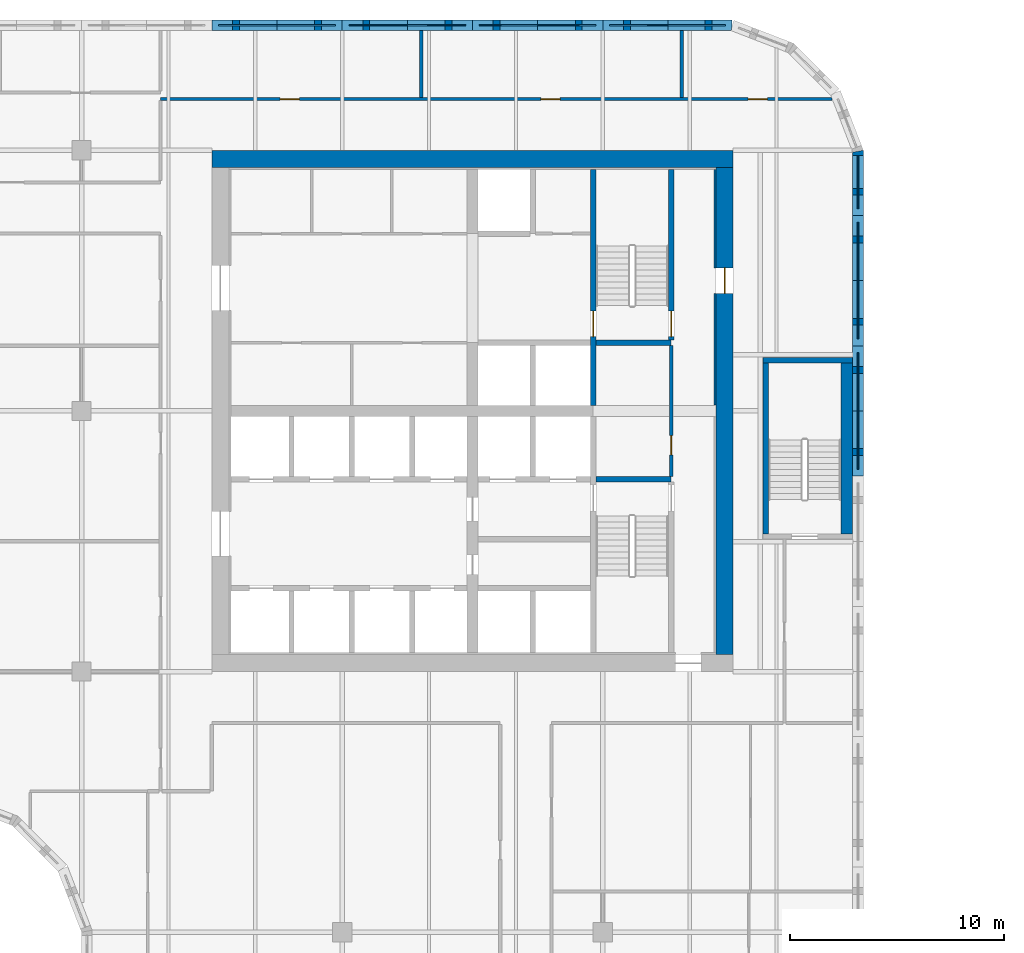
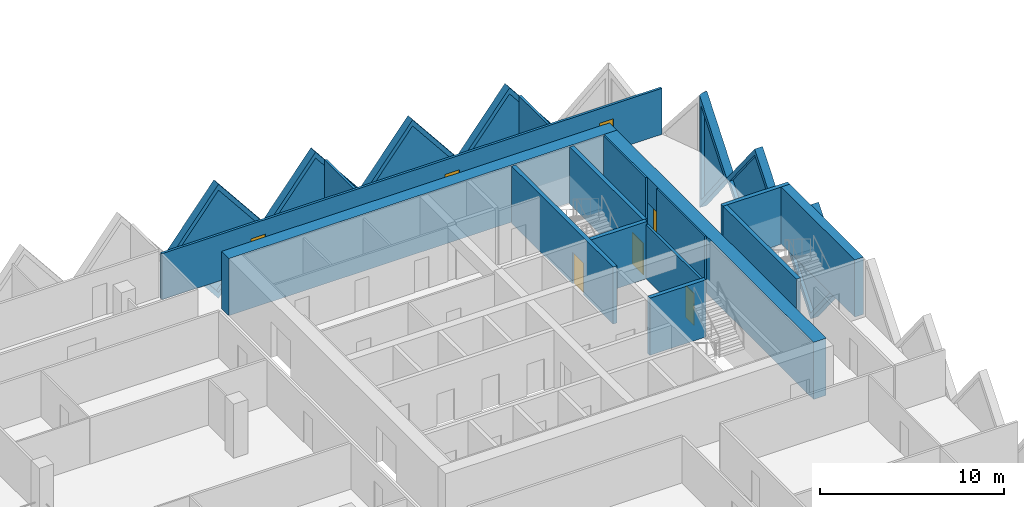
# One storey, part 10 of 19: 22 walls, 7 doors, 7 plates, 14 openings.
"""IFC4 building model written with IfcOpenShell, lengths in metres."""

from ifc_helpers import new_model, si_unit, direction, frame, frame_2d, origin, place, context, subcontext, project, spatial, polyline, rectangle, outline, extrude, faceted_brep, source, transform, mapped, material, layer, layer_set, type_object, element, fill, save


model = new_model("IFC4")

# Units and contexts
model_context = context("Model", 3, precision=1e-05, world=origin(), true_north=direction((0.0, 1.0)))
body_context = subcontext(model_context, "Body", "Model", "MODEL_VIEW")
ifc_project = project(units=[si_unit("LENGTHUNIT", "METRE"), si_unit("AREAUNIT", "SQUARE_METRE"), si_unit("VOLUMEUNIT", "CUBIC_METRE"), si_unit("PLANEANGLEUNIT", "RADIAN"), si_unit("MASSUNIT", "GRAM", prefix="KILO")], contexts=[model_context])

# Site, building, storey
site_placement = place(None, origin())
site = spatial("IfcSite", under=ifc_project, at=site_placement, CompositionType="ELEMENT")
building_placement = place(site_placement, origin())
building = spatial("IfcBuilding", under=site, at=building_placement, Name="Tessera Gate Towers", CompositionType="ELEMENT")
storey_placement = place(building_placement, frame((0.0, 0.0, 87.60009765625)))
storey = spatial("IfcBuildingStorey", under=building, at=storey_placement, Name="L21", CompositionType="ELEMENT", Elevation=87.60009765625)

# Wall, opening, door
ifc_material_1 = material(Name="Concrete C40/50", Category="concrete")
ifc_layer_1 = layer(ifc_material_1, 0.25)
ifc_layer_set_1 = layer_set([ifc_layer_1], Name="CORE ENCLOSURE WALL 250")
wall_type_1 = type_object("IfcWallType", Name="CORE ENCLOSURE WALL 250", PredefinedType="SOLIDWALL", material=ifc_layer_set_1)
wall_1_placement = place(storey_placement, frame((48.35009765625, 47.89990234375, 0.0), z_axis=(0.0, 0.0, 1.0), x_axis=(0.0, -1.0, 0.0)))
wall_1 = element("IfcWall", 1, at=wall_1_placement, inside=storey, type_object=wall_type_1, Name="L21 shaft and stair enclosure wall", PredefinedType="SOLIDWALL", context=body_context, shape_type="SweptSolid", body=[
    extrude(rectangle(XDim=11.0498046875, YDim=0.25, at=frame_2d((5.52490234375, 0.0))), origin(), (0.0, 0.0, 1.0), 3.7998046875),
])
shared_shape_1 = source(origin(), body_context, "Body", "SweptSolid", [
    extrude(rectangle(XDim=1.199951171875, YDim=2.10009765625, at=frame_2d((0.60009765625, 1.050048828125))), frame((0.0, 0.135009765625, 0.0), z_axis=(0.0, -1.0, 0.0), x_axis=(1.0, 0.0, 0.0)), (0.0, 0.0, 1.0), 0.27001953125),
])
opening_1_placement = place(wall_1_placement, frame((6.625, 0.0, 0.0)))
opening_1 = element("IfcOpeningElement", 2, at=opening_1_placement, cuts=wall_1, Name="Opening SD-ST2-1", PredefinedType="OPENING", context=body_context, shape_type="MappedRepresentation", body=[
    mapped(shared_shape_1, transform((0.0, 0.0, 0.0), scale=1.0)),
])
ifc_material_2 = material(Name="Hollow steel fire door", Category="steel")
door_type_1 = type_object("IfcDoorType", Name="CORE DOOR SD 1200x2100", OperationType="NOTDEFINED", PredefinedType="DOOR", material=ifc_material_2)
shared_shape_2 = source(origin(), body_context, "Body", "SweptSolid", [
    extrude(rectangle(XDim=1.199951171875, YDim=2.10009765625, at=frame_2d((0.60009765625, 1.050048828125))), frame((0.0, 0.02490234375, 0.0), z_axis=(0.0, -1.0, 0.0), x_axis=(1.0, 0.0, 0.0)), (0.0, 0.0, 1.0), 0.050048828125),
])
door_1_placement = place(opening_1_placement, origin())
door_1 = element("IfcDoor", 3, at=door_1_placement, inside=storey, type_object=door_type_1, Name="Stair door", OperationType="SINGLE_SWING_RIGHT", OverallHeight=2.10009765625, OverallWidth=1.199951171875, PredefinedType="DOOR", context=body_context, shape_type="MappedRepresentation", body=[
    mapped(shared_shape_2, transform((0.0, 0.0, 0.0), scale=1.0)),
])
fill(opening_1, door_1)

# Walls
for number, where, z_axis, x_axis, name in (
    (4, (48.47509765625, 33.39990234375, 0.0), (0.0, 0.0, 1.0), (1.0, 0.0, 0.0), "L21 shaft and stair enclosure wall"),
    (5, (48.47509765625, 39.800048828125, 0.0), (0.0, 0.0, 1.0), (1.0, 0.0, 0.0), "L21 shaft and stair enclosure wall"),
):
    element("IfcWall", number, at=place(storey_placement, frame(where, z_axis=z_axis, x_axis=x_axis)), inside=storey, type_object=wall_type_1, Name=name, PredefinedType="SOLIDWALL", context=body_context, shape_type="SweptSolid", body=[
        extrude(rectangle(XDim=3.52490234375, YDim=0.25, at=frame_2d((1.762451171875, 0.0))), origin(), (0.0, 0.0, 1.0), 3.7998046875),
    ])

# Wall, opening, door
wall_2_placement = place(storey_placement, frame((52.0, 39.925048828125, 0.0), z_axis=(0.0, 0.0, 1.0), x_axis=(0.0, 1.0, 0.0)))
wall_2 = element("IfcWall", 6, at=wall_2_placement, inside=storey, type_object=wall_type_1, Name="L21 shaft and stair enclosure wall", PredefinedType="SOLIDWALL", context=body_context, shape_type="SweptSolid", body=[
    extrude(rectangle(XDim=7.974853515625, YDim=0.25, at=frame_2d((3.9873046875, 0.0))), origin(), (0.0, 0.0, 1.0), 3.7998046875),
])
opening_2_placement = place(wall_2_placement, frame((0.14990234375, 0.0, 0.0)))
opening_2 = element("IfcOpeningElement", 7, at=opening_2_placement, cuts=wall_2, Name="Opening SD-ST2-2", PredefinedType="OPENING", context=body_context, shape_type="MappedRepresentation", body=[
    mapped(shared_shape_1, transform((0.0, 0.0, 0.0), scale=1.0)),
])
door_2_placement = place(opening_2_placement, origin())
door_2 = element("IfcDoor", 8, at=door_2_placement, inside=storey, type_object=door_type_1, Name="Stair door", OperationType="SINGLE_SWING_LEFT", OverallHeight=2.10009765625, OverallWidth=1.199951171875, PredefinedType="DOOR", context=body_context, shape_type="MappedRepresentation", body=[
    mapped(shared_shape_2, transform((0.0, 0.0, 0.0), scale=1.0)),
])
fill(opening_2, door_2)

# Walls
wall_3_placement = place(storey_placement, frame((56.425048828125, 30.85009765625, 0.0), z_axis=(0.0, 0.0, 1.0), x_axis=(0.0, 1.0, 0.0)))
element("IfcWall", 9, at=wall_3_placement, inside=storey, type_object=wall_type_1, Name="L21 ST5 enclosure wall", PredefinedType="SOLIDWALL", context=body_context, shape_type="SweptSolid", body=[
    extrude(rectangle(XDim=8.0, YDim=0.25, at=frame_2d((4.0, 0.0))), origin(), (0.0, 0.0, 1.0), 3.7998046875),
])
wall_4_placement = place(storey_placement, frame((56.300048828125, 38.97509765625, 0.0), z_axis=(0.0, 0.0, 1.0), x_axis=(1.0, 0.0, 0.0)))
element("IfcWall", 10, at=wall_4_placement, inside=storey, type_object=wall_type_1, Name="L21 ST5 enclosure wall", PredefinedType="SOLIDWALL", context=body_context, shape_type="SweptSolid", body=[
    extrude(rectangle(XDim=4.199951171875, YDim=0.25, at=frame_2d((2.10009765625, 0.0))), origin(), (0.0, 0.0, 1.0), 3.7998046875),
])
ifc_material_3 = material(Name="Concrete C40/50", Category="concrete")
ifc_layer_2 = layer(ifc_material_3, 0.550048828125)
ifc_layer_set_2 = layer_set([ifc_layer_2], Name="CORE ENCLOSURE WALL 550")
wall_type_2 = type_object("IfcWallType", Name="CORE ENCLOSURE WALL 550", PredefinedType="SOLIDWALL", material=ifc_layer_set_2)
wall_5_placement = place(storey_placement, frame((60.22509765625, 38.85009765625, 0.0), z_axis=(0.0, 0.0, 1.0), x_axis=(0.0, -1.0, 0.0)))
element("IfcWall", 11, at=wall_5_placement, inside=storey, type_object=wall_type_2, Name="L21 ST5 enclosure wall", PredefinedType="SOLIDWALL", context=body_context, shape_type="SweptSolid", body=[
    extrude(rectangle(XDim=8.0, YDim=0.550048828125, at=frame_2d((4.0, 0.0))), origin(), (0.0, 0.0, 1.0), 3.7998046875),
])
ifc_material_4 = material(Name="Concrete C60/75", Category="concrete")
ifc_layer_3 = layer(ifc_material_4, 0.800048828125)
ifc_layer_set_3 = layer_set([ifc_layer_3], Name="CORE SHEAR WALL 800 C60/75")
wall_type_3 = type_object("IfcWallType", Name="CORE SHEAR WALL 800 C60/75", PredefinedType="SHEAR", material=ifc_layer_set_3)
wall_6_placement = place(storey_placement, frame((30.5, 48.39990234375, 0.0), z_axis=(0.0, 0.0, 1.0), x_axis=(1.0, 0.0, 0.0)))
element("IfcWall", 12, at=wall_6_placement, inside=storey, type_object=wall_type_3, Name="Core wall N L21", PredefinedType="SHEAR", context=body_context, shape_type="SweptSolid", body=[
    extrude(rectangle(XDim=24.39990234375, YDim=0.800048828125, at=frame_2d((12.199951171875, 0.0))), origin(), (0.0, 0.0, 1.0), 3.7998046875),
])

# Wall, opening, door
wall_7_placement = place(storey_placement, frame((54.5, 48.0, 0.0), z_axis=(0.0, 0.0, 1.0), x_axis=(0.0, -1.0, 0.0)))
wall_7 = element("IfcWall", 13, at=wall_7_placement, inside=storey, type_object=wall_type_3, Name="Core wall E L21", PredefinedType="SHEAR", context=body_context, shape_type="SweptSolid", body=[
    extrude(rectangle(XDim=22.800048828125, YDim=0.800048828125, at=frame_2d((11.39990234375, 0.0))), origin(), (0.0, 0.0, 1.0), 3.7998046875),
])
shared_shape_3 = source(origin(), body_context, "Body", "SweptSolid", [
    extrude(rectangle(XDim=1.199951171875, YDim=2.10009765625, at=frame_2d((0.60009765625, 1.050048828125))), frame((0.0, 0.409912109375, 0.0), z_axis=(0.0, -1.0, 0.0), x_axis=(1.0, 0.0, 0.0)), (0.0, 0.0, 1.0), 0.820068359375),
])
opening_3_placement = place(wall_7_placement, frame((4.699951171875, 0.0, 0.0)))
opening_3 = element("IfcOpeningElement", 14, at=opening_3_placement, cuts=wall_7, Name="Opening ED-T1-14-04", PredefinedType="OPENING", context=body_context, shape_type="MappedRepresentation", body=[
    mapped(shared_shape_3, transform((0.0, 0.0, 0.0), scale=1.0)),
])
ifc_material_5 = material(Name="Hollow steel fire door", Category="steel")
door_type_2 = type_object("IfcDoorType", Name="CORE DOOR ED 1200x2100", OperationType="NOTDEFINED", PredefinedType="DOOR", material=ifc_material_5)
door_3_placement = place(opening_3_placement, origin())
door_3 = element("IfcDoor", 15, at=door_3_placement, inside=storey, type_object=door_type_2, Name="Core exit door", OperationType="SINGLE_SWING_LEFT", OverallHeight=2.10009765625, OverallWidth=1.199951171875, PredefinedType="DOOR", context=body_context, shape_type="MappedRepresentation", body=[
    mapped(shared_shape_2, transform((0.0, 0.0, 0.0), scale=1.0)),
])
fill(opening_3, door_3)

# Walls
ifc_material_6 = material(Name="Concrete C60/75", Category="concrete")
ifc_layer_4 = layer(ifc_material_6, 0.10009765625)
ifc_layer_set_4 = layer_set([ifc_layer_4], Name="CORE WALL THICKENING 100")
wall_type_4 = type_object("IfcWallType", Name="CORE WALL THICKENING 100", PredefinedType="SOLIDWALL", material=ifc_layer_set_4)
wall_8_placement = place(storey_placement, frame((54.050048828125, 36.8798828125, 0.0), z_axis=(0.0, 0.0, 1.0), x_axis=(0.0, 1.0, 0.0)))
element("IfcWall", 16, at=wall_8_placement, inside=storey, type_object=wall_type_4, Name="Core wall thickening E L21", PredefinedType="SOLIDWALL", context=body_context, shape_type="SweptSolid", body=[
    extrude(rectangle(XDim=5.22021484375, YDim=0.10009765625, at=frame_2d((2.610107421875, 0.0))), origin(), (0.0, 0.0, 1.0), 3.7998046875),
])
wall_9_placement = place(storey_placement, frame((54.050048828125, 43.300048828125, 0.0), z_axis=(0.0, 0.0, 1.0), x_axis=(0.0, 1.0, 0.0)))
element("IfcWall", 17, at=wall_9_placement, inside=storey, type_object=wall_type_4, Name="Core wall thickening E L21", PredefinedType="SOLIDWALL", context=body_context, shape_type="SweptSolid", body=[
    extrude(rectangle(XDim=4.599853515625, YDim=0.10009765625, at=frame_2d((2.2998046875, 0.0))), origin(), (0.0, 0.0, 1.0), 3.7998046875),
])

# Wall, openings, doors
ifc_material_7 = material(Name="Gypsum board on steel studs, mineral wool", Category="steel")
ifc_layer_5 = layer(ifc_material_7, 0.14990234375)
ifc_layer_set_5 = layer_set([ifc_layer_5], Name="CORRIDOR WALL 150")
wall_type_5 = type_object("IfcWallType", Name="CORRIDOR WALL 150", PredefinedType="PARTITIONING", material=ifc_layer_set_5)
wall_10_placement = place(storey_placement, frame((28.10009765625, 51.199951171875, 0.0), z_axis=(0.0, 0.0, 1.0), x_axis=(1.0, 0.0, 0.0)))
wall_10 = element("IfcWall", 18, at=wall_10_placement, inside=storey, type_object=wall_type_5, Name="T1-L21-PW-046", PredefinedType="PARTITIONING", context=body_context, shape_type="SweptSolid", body=[
    extrude(rectangle(XDim=31.438232421875, YDim=0.14990234375, at=frame_2d((15.71923828125, 0.0))), origin(), (0.0, 0.0, 1.0), 3.06689453125),
])
shared_shape_4 = source(origin(), body_context, "Body", "SweptSolid", [
    extrude(rectangle(XDim=0.89990234375, YDim=2.10009765625, at=frame_2d((0.449951171875, 1.050048828125))), frame((0.0, 0.0849609375, 0.0), z_axis=(0.0, -1.0, 0.0), x_axis=(1.0, 0.0, 0.0)), (0.0, 0.0, 1.0), 0.169921875),
])
opening_4_placement = place(wall_10_placement, frame((27.5009765625, 0.0, 0.0)))
opening_4 = element("IfcOpeningElement", 19, at=opening_4_placement, cuts=wall_10, Name="Opening D890FD60-A07-05", PredefinedType="OPENING", context=body_context, shape_type="MappedRepresentation", body=[
    mapped(shared_shape_4, transform((0.0, 0.0, 0.0), scale=1.0)),
])
opening_5_placement = place(wall_10_placement, frame((5.60009765625, 0.0, 0.0)))
opening_5 = element("IfcOpeningElement", 20, at=opening_5_placement, cuts=wall_10, Name="Opening D890FD60-A07-10", PredefinedType="OPENING", context=body_context, shape_type="MappedRepresentation", body=[
    mapped(shared_shape_4, transform((0.0, 0.0, 0.0), scale=1.0)),
])
opening_6_placement = place(wall_10_placement, frame((17.800048828125, 0.0, 0.0)))
opening_6 = element("IfcOpeningElement", 21, at=opening_6_placement, cuts=wall_10, Name="Opening D890FD60-A07-11", PredefinedType="OPENING", context=body_context, shape_type="MappedRepresentation", body=[
    mapped(shared_shape_4, transform((0.0, 0.0, 0.0), scale=1.0)),
])
ifc_material_8 = material(Name="Timber door leaf in steel frame", Category="steel")
door_type_3 = type_object("IfcDoorType", Name="CORRIDOR DOOR 900 FD60", OperationType="NOTDEFINED", PredefinedType="DOOR", material=ifc_material_8)
shared_shape_5 = source(origin(), body_context, "Body", "SweptSolid", [
    extrude(rectangle(XDim=0.89990234375, YDim=2.10009765625, at=frame_2d((0.449951171875, 1.050048828125))), frame((0.0, 0.02490234375, 0.0), z_axis=(0.0, -1.0, 0.0), x_axis=(1.0, 0.0, 0.0)), (0.0, 0.0, 1.0), 0.050048828125),
])
door_4_placement = place(opening_4_placement, origin())
door_4 = element("IfcDoor", 22, at=door_4_placement, inside=storey, type_object=door_type_3, Name="T1-L21-PD-014", OperationType="SINGLE_SWING_LEFT", OverallHeight=2.10009765625, OverallWidth=0.89990234375, PredefinedType="DOOR", context=body_context, shape_type="MappedRepresentation", body=[
    mapped(shared_shape_5, transform((0.0, 0.0, 0.0), scale=1.0)),
])
fill(opening_4, door_4)
door_5_placement = place(opening_5_placement, origin())
door_5 = element("IfcDoor", 23, at=door_5_placement, inside=storey, type_object=door_type_3, Name="T1-L21-PD-024", OperationType="SINGLE_SWING_LEFT", OverallHeight=2.10009765625, OverallWidth=0.89990234375, PredefinedType="DOOR", context=body_context, shape_type="MappedRepresentation", body=[
    mapped(shared_shape_5, transform((0.0, 0.0, 0.0), scale=1.0)),
])
fill(opening_5, door_5)
door_6_placement = place(opening_6_placement, origin())
door_6 = element("IfcDoor", 24, at=door_6_placement, inside=storey, type_object=door_type_3, Name="T1-L21-PD-025", OperationType="SINGLE_SWING_LEFT", OverallHeight=2.10009765625, OverallWidth=0.89990234375, PredefinedType="DOOR", context=body_context, shape_type="MappedRepresentation", body=[
    mapped(shared_shape_5, transform((0.0, 0.0, 0.0), scale=1.0)),
])
fill(opening_6, door_6)

# Wall, opening, door
ifc_material_9 = material(Name="Gypsum board on steel studs", Category="steel")
ifc_layer_6 = layer(ifc_material_9, 0.14990234375)
ifc_layer_set_6 = layer_set([ifc_layer_6], Name="SERVICE ROOM WALL 150")
wall_type_6 = type_object("IfcWallType", Name="SERVICE ROOM WALL 150", PredefinedType="PARTITIONING", material=ifc_layer_set_6)
wall_11_placement = place(storey_placement, frame((52.0, 33.52490234375, 0.0), z_axis=(0.0, 0.0, 1.0), x_axis=(0.0, 1.0, 0.0)))
wall_11 = element("IfcWall", 25, at=wall_11_placement, inside=storey, type_object=wall_type_6, Name="L21 service room wall", PredefinedType="PARTITIONING", context=body_context, shape_type="SweptSolid", body=[
    extrude(rectangle(XDim=6.150146484375, YDim=0.14990234375, at=frame_2d((3.0751953125, 0.0))), origin(), (0.0, 0.0, 1.0), 3.599853515625),
])
opening_7_placement = place(wall_11_placement, frame((1.02490234375, 0.0, 0.0)))
opening_7 = element("IfcOpeningElement", 26, at=opening_7_placement, cuts=wall_11, Name="Opening RD-T1-14-12", PredefinedType="OPENING", context=body_context, shape_type="MappedRepresentation", body=[
    mapped(shared_shape_4, transform((0.0, 0.0, 0.0), scale=1.0)),
])
ifc_material_10 = material(Name="Hollow steel fire door", Category="steel")
door_type_4 = type_object("IfcDoorType", Name="CORE DOOR RD 900x2100", OperationType="NOTDEFINED", PredefinedType="DOOR", material=ifc_material_10)
door_7_placement = place(opening_7_placement, origin())
door_7 = element("IfcDoor", 27, at=door_7_placement, inside=storey, type_object=door_type_4, Name="Core room door", OperationType="SINGLE_SWING_LEFT", OverallHeight=2.10009765625, OverallWidth=0.89990234375, PredefinedType="DOOR", context=body_context, shape_type="MappedRepresentation", body=[
    mapped(shared_shape_5, transform((0.0, 0.0, 0.0), scale=1.0)),
])
fill(opening_7, door_7)

# Walls
ifc_material_11 = material(Name="Gypsum board on steel studs, mineral wool", Category="steel")
ifc_layer_7 = layer(ifc_material_11, 0.14990234375)
ifc_layer_set_7 = layer_set([ifc_layer_7], Name="TENANCY WALL 150")
wall_type_7 = type_object("IfcWallType", Name="TENANCY WALL 150", PredefinedType="PARTITIONING", material=ifc_layer_set_7)
for number, where, z_axis, x_axis, name in (
    (28, (40.300048828125, 51.27587890625, 0.0), (0.0, 0.0, 1.0), (0.0, 1.0, 0.0), "T1-L21-PW-047"),
    (29, (52.5, 51.27587890625, 0.0), (0.0, 0.0, 1.0), (0.0, 1.0, 0.0), "T1-L21-PW-048"),
):
    element("IfcWall", number, at=place(storey_placement, frame(where, z_axis=z_axis, x_axis=x_axis)), inside=storey, type_object=wall_type_7, Name=name, PredefinedType="PARTITIONING", context=body_context, shape_type="SweptSolid", body=[
        extrude(rectangle(XDim=3.1240234375, YDim=0.14990234375, at=frame_2d((1.56201171875, 0.0))), origin(), (0.0, 0.0, 1.0), 3.06689453125),
    ])

# Wall, opening, plate
ifc_material_12 = material(Name="Precast concrete C60/75 white", Category="concrete")
ifc_layer_8 = layer(ifc_material_12, 0.5)
ifc_layer_set_8 = layer_set([ifc_layer_8], Name="TS1 tessera")
wall_type_8 = type_object("IfcWallType", Name="TS1 tessera", PredefinedType="SOLIDWALL", material=ifc_layer_set_8)
shared_shape_6 = source(origin(), body_context, "Body", "Brep", [
    faceted_brep([(3.00341796875, -0.25, 0.0), (6.053466796875, -0.25, 3.800048828125), (3.00341796875, -0.25, 7.599853515625), (0.0, -0.25, 3.800048828125), (0.046630859375, 0.25, 3.85888671875), (3.00341796875, 0.25, 7.599853515625), (6.053466796875, 0.25, 3.800048828125), (3.00341796875, 0.25, 0.0), (0.046630859375, 0.25, 3.7412109375), (0.0, 0.0, 3.800048828125)], [[[0, 1, 2, 3]], [[4, 5, 6, 7, 8]], [[7, 6, 1, 0]], [[6, 5, 2, 1]], [[5, 4, 9, 3, 2]], [[8, 7, 0, 3, 9]], [[8, 9, 4]]]),
])
wall_12_placement = place(storey_placement, frame((54.853515625, 54.64990234375, -3.800048828125), z_axis=(0.0, 0.0, 1.0), x_axis=(-1.0, 0.0, 0.0)))
wall_12 = element("IfcWall", 30, at=wall_12_placement, inside=storey, type_object=wall_type_8, Name="Precast tessera T1 TS1-0332", PredefinedType="SOLIDWALL", context=body_context, shape_type="MappedRepresentation", body=[
    mapped(shared_shape_6, transform((0.0, 0.0, 0.0), scale=1.0)),
])
shared_shape_7 = source(origin(), body_context, "Body", "SweptSolid", [
    extrude(outline(polyline([(3.0048828125, 0.401123046875), (5.73291015625, 3.800048828125), (3.0048828125, 7.19873046875), (0.318603515625, 3.800048828125), (3.0048828125, 0.401123046875)])), frame((0.0, 0.260009765625, 0.0), z_axis=(0.0, -1.0, 0.0), x_axis=(1.0, 0.0, 0.0)), (0.0, 0.0, 1.0), 0.52001953125),
])
opening_8_placement = place(wall_12_placement, origin())
opening_8 = element("IfcOpeningElement", 31, at=opening_8_placement, cuts=wall_12, Name="Opening T1-PL2-0676", PredefinedType="OPENING", context=body_context, shape_type="MappedRepresentation", body=[
    mapped(shared_shape_7, transform((0.0, 0.0, 0.0), scale=1.0)),
])
ifc_material_13 = material(Name="Low-e laminated glass", Category="glass")
ifc_layer_9 = layer(ifc_material_13, 0.06005859375)
ifc_layer_set_9 = layer_set([ifc_layer_9], Name="PL2 rhombic pane")
plate_type = type_object("IfcPlateType", Name="PL2 rhombic pane", PredefinedType="SHEET", material=ifc_layer_set_9)
shared_shape_8 = source(origin(), body_context, "Body", "SweptSolid", [
    extrude(outline(polyline([(3.0048828125, 0.401123046875), (5.73291015625, 3.800048828125), (3.0048828125, 7.19873046875), (0.318603515625, 3.800048828125), (3.0048828125, 0.401123046875)])), frame((0.0, 0.030029296875, 0.0), z_axis=(0.0, -1.0, 0.0), x_axis=(1.0, 0.0, 0.0)), (0.0, 0.0, 1.0), 0.06005859375),
])
plate_1_placement = place(opening_8_placement, origin())
plate_1 = element("IfcPlate", 32, at=plate_1_placement, inside=storey, type_object=plate_type, Name="Glass pane T1 PL2-0676", PredefinedType="SHEET", context=body_context, shape_type="MappedRepresentation", body=[
    mapped(shared_shape_8, transform((0.0, 0.0, 0.0), scale=1.0)),
])
fill(opening_8, plate_1)

shared_shape_9 = source(origin(), body_context, "Body", "Brep", [
    faceted_brep([(3.050048828125, -0.25, 0.0), (6.099853515625, -0.25, 3.7998046875), (6.099853515625, -0.25, 3.80029296875), (3.050048828125, -0.25, 7.599853515625), (0.0, -0.25, 3.800048828125), (0.0, 0.25, 3.800048828125), (3.050048828125, 0.25, 7.599853515625), (6.099853515625, 0.25, 3.80029296875), (6.099853515625, 0.25, 3.7998046875), (3.050048828125, 0.25, 0.0)], [[[0, 1, 2, 3, 4]], [[5, 6, 7, 8, 9]], [[9, 8, 1, 0]], [[7, 6, 3, 2]], [[6, 5, 4, 3]], [[5, 9, 0, 4]], [[1, 8, 7, 2]]]),
])
wall_13_placement = place(storey_placement, frame((60.75, 33.550048828125, -3.800048828125), z_axis=(0.0, 0.0, 1.0), x_axis=(0.0, 1.0, 0.0)))
wall_13 = element("IfcWall", 33, at=wall_13_placement, inside=storey, type_object=wall_type_8, Name="Precast tessera T1 TS1-0330", PredefinedType="SOLIDWALL", context=body_context, shape_type="MappedRepresentation", body=[
    mapped(shared_shape_9, transform((0.0, 0.0, 0.0), scale=1.0)),
])
shared_shape_10 = source(origin(), body_context, "Body", "SweptSolid", [
    extrude(outline(polyline([(3.050048828125, 0.3994140625), (5.779541015625, 3.800048828125), (3.050048828125, 7.200439453125), (0.320556640625, 3.800048828125), (3.050048828125, 0.3994140625)])), frame((0.0, 0.260009765625, 0.0), z_axis=(0.0, -1.0, 0.0), x_axis=(1.0, 0.0, 0.0)), (0.0, 0.0, 1.0), 0.52001953125),
])
opening_9_placement = place(wall_13_placement, origin())
opening_9 = element("IfcOpeningElement", 34, at=opening_9_placement, cuts=wall_13, Name="Opening T1-PL2-0670", PredefinedType="OPENING", context=body_context, shape_type="MappedRepresentation", body=[
    mapped(shared_shape_10, transform((0.0, 0.0, 0.0), scale=1.0)),
])
shared_shape_11 = source(origin(), body_context, "Body", "SweptSolid", [
    extrude(outline(polyline([(3.050048828125, 0.3994140625), (5.779541015625, 3.800048828125), (3.050048828125, 7.200439453125), (0.320556640625, 3.800048828125), (3.050048828125, 0.3994140625)])), frame((0.0, 0.030029296875, 0.0), z_axis=(0.0, -1.0, 0.0), x_axis=(1.0, 0.0, 0.0)), (0.0, 0.0, 1.0), 0.06005859375),
])
plate_2_placement = place(opening_9_placement, origin())
plate_2 = element("IfcPlate", 35, at=plate_2_placement, inside=storey, type_object=plate_type, Name="Glass pane T1 PL2-0670", PredefinedType="SHEET", context=body_context, shape_type="MappedRepresentation", body=[
    mapped(shared_shape_11, transform((0.0, 0.0, 0.0), scale=1.0)),
])
fill(opening_9, plate_2)

wall_14_placement = place(storey_placement, frame((42.699951171875, 54.64990234375, -3.800048828125), z_axis=(0.0, 0.0, 1.0), x_axis=(-1.0, 0.0, 0.0)))
wall_14 = element("IfcWall", 36, at=wall_14_placement, inside=storey, type_object=wall_type_8, Name="Precast tessera T1 TS1-0334", PredefinedType="SOLIDWALL", context=body_context, shape_type="MappedRepresentation", body=[
    mapped(shared_shape_9, transform((0.0, 0.0, 0.0), scale=1.0)),
])
opening_10_placement = place(wall_14_placement, origin())
opening_10 = element("IfcOpeningElement", 37, at=opening_10_placement, cuts=wall_14, Name="Opening T1-PL2-0678", PredefinedType="OPENING", context=body_context, shape_type="MappedRepresentation", body=[
    mapped(shared_shape_10, transform((0.0, 0.0, 0.0), scale=1.0)),
])
plate_3_placement = place(opening_10_placement, origin())
plate_3 = element("IfcPlate", 38, at=plate_3_placement, inside=storey, type_object=plate_type, Name="Glass pane T1 PL2-0678", PredefinedType="SHEET", context=body_context, shape_type="MappedRepresentation", body=[
    mapped(shared_shape_11, transform((0.0, 0.0, 0.0), scale=1.0)),
])
fill(opening_10, plate_3)

shared_shape_12 = source(origin(), body_context, "Body", "SweptSolid", [
    extrude(outline(polyline([(3.050048828125, 0.0), (6.10009765625, 3.800048828125), (3.050048828125, 7.599853515625), (0.0, 3.800048828125), (3.050048828125, 0.0)])), frame((0.0, 0.25, 0.0), z_axis=(0.0, -1.0, 0.0), x_axis=(1.0, 0.0, 0.0)), (0.0, 0.0, 1.0), 0.5),
])
wall_15_placement = place(storey_placement, frame((60.75, 39.64990234375, -3.800048828125), z_axis=(0.0, 0.0, 1.0), x_axis=(0.0, 1.0, 0.0)))
wall_15 = element("IfcWall", 39, at=wall_15_placement, inside=storey, type_object=wall_type_8, Name="Precast tessera T1 TS1-0331", PredefinedType="SOLIDWALL", context=body_context, shape_type="MappedRepresentation", body=[
    mapped(shared_shape_12, transform((0.0, 0.0, 0.0), scale=1.0)),
])
opening_11_placement = place(wall_15_placement, origin())
opening_11 = element("IfcOpeningElement", 40, at=opening_11_placement, cuts=wall_15, Name="Opening T1-PL2-0671", PredefinedType="OPENING", context=body_context, shape_type="MappedRepresentation", body=[
    mapped(shared_shape_10, transform((0.0, 0.0, 0.0), scale=1.0)),
])
plate_4_placement = place(opening_11_placement, origin())
plate_4 = element("IfcPlate", 41, at=plate_4_placement, inside=storey, type_object=plate_type, Name="Glass pane T1 PL2-0671", PredefinedType="SHEET", context=body_context, shape_type="MappedRepresentation", body=[
    mapped(shared_shape_11, transform((0.0, 0.0, 0.0), scale=1.0)),
])
fill(opening_11, plate_4)

wall_16_placement = place(storey_placement, frame((48.800048828125, 54.64990234375, -3.800048828125), z_axis=(0.0, 0.0, 1.0), x_axis=(-1.0, 0.0, 0.0)))
wall_16 = element("IfcWall", 42, at=wall_16_placement, inside=storey, type_object=wall_type_8, Name="Precast tessera T1 TS1-0333", PredefinedType="SOLIDWALL", context=body_context, shape_type="MappedRepresentation", body=[
    mapped(shared_shape_12, transform((0.0, 0.0, 0.0), scale=1.0)),
])
opening_12_placement = place(wall_16_placement, origin())
opening_12 = element("IfcOpeningElement", 43, at=opening_12_placement, cuts=wall_16, Name="Opening T1-PL2-0677", PredefinedType="OPENING", context=body_context, shape_type="MappedRepresentation", body=[
    mapped(shared_shape_10, transform((0.0, 0.0, 0.0), scale=1.0)),
])
plate_5_placement = place(opening_12_placement, origin())
plate_5 = element("IfcPlate", 44, at=plate_5_placement, inside=storey, type_object=plate_type, Name="Glass pane T1 PL2-0677", PredefinedType="SHEET", context=body_context, shape_type="MappedRepresentation", body=[
    mapped(shared_shape_11, transform((0.0, 0.0, 0.0), scale=1.0)),
])
fill(opening_12, plate_5)

wall_17_placement = place(storey_placement, frame((36.60009765625, 54.64990234375, -3.800048828125), z_axis=(0.0, 0.0, 1.0), x_axis=(-1.0, 0.0, 0.0)))
wall_17 = element("IfcWall", 45, at=wall_17_placement, inside=storey, type_object=wall_type_8, Name="Precast tessera T1 TS1-0335", PredefinedType="SOLIDWALL", context=body_context, shape_type="MappedRepresentation", body=[
    mapped(shared_shape_12, transform((0.0, 0.0, 0.0), scale=1.0)),
])
opening_13_placement = place(wall_17_placement, origin())
opening_13 = element("IfcOpeningElement", 46, at=opening_13_placement, cuts=wall_17, Name="Opening T1-PL2-0679", PredefinedType="OPENING", context=body_context, shape_type="MappedRepresentation", body=[
    mapped(shared_shape_10, transform((0.0, 0.0, 0.0), scale=1.0)),
])
plate_6_placement = place(opening_13_placement, origin())
plate_6 = element("IfcPlate", 47, at=plate_6_placement, inside=storey, type_object=plate_type, Name="Glass pane T1 PL2-0679", PredefinedType="SHEET", context=body_context, shape_type="MappedRepresentation", body=[
    mapped(shared_shape_11, transform((0.0, 0.0, 0.0), scale=1.0)),
])
fill(opening_13, plate_6)

ifc_material_14 = material(Name="Precast concrete C60/75 white", Category="concrete")
ifc_layer_10 = layer(ifc_material_14, 0.5)
ifc_layer_set_10 = layer_set([ifc_layer_10], Name="TS3 corner tessera")
wall_type_9 = type_object("IfcWallType", Name="TS3 corner tessera", PredefinedType="SOLIDWALL", material=ifc_layer_set_10)
shared_shape_13 = source(origin(), body_context, "Body", "Brep", [
    faceted_brep([(3.00341796875, -0.25, 0.0), (3.050048828125, -0.25, 0.06005859375), (3.050048828125, -0.25, 7.539794921875), (3.00341796875, -0.25, 7.599853515625), (0.0, -0.25, 3.800048828125), (0.0, 0.25, 3.800048828125), (2.956787109375, 0.25, 7.541015625), (2.956787109375, 0.25, 0.058837890625), (3.00341796875, 0.000244140625, 0.0), (3.00341796875, 0.000244140625, 7.599853515625)], [[[0, 1, 2, 3, 4]], [[5, 6, 7]], [[1, 0, 8]], [[9, 3, 2]], [[6, 5, 4, 3, 9]], [[5, 7, 8, 0, 4]], [[1, 8, 7, 6, 9, 2]]]),
])
wall_18_placement = place(storey_placement, frame((60.75, 45.75, -3.800048828125), z_axis=(0.0, 0.0, 1.0), x_axis=(0.0, 1.0, 0.0)))
wall_18 = element("IfcWall", 48, at=wall_18_placement, inside=storey, type_object=wall_type_9, Name="Precast corner tessera T1 TS3-0461", PredefinedType="SOLIDWALL", context=body_context, shape_type="MappedRepresentation", body=[
    mapped(shared_shape_13, transform((0.0, 0.0, 0.0), scale=1.0)),
])
shared_shape_14 = source(origin(), body_context, "Body", "SweptSolid", [
    extrude(outline(polyline([(2.803466796875, 6.94384765625), (0.318603515625, 3.800048828125), (2.803466796875, 0.65625), (2.803466796875, 6.94384765625)])), frame((0.0, 0.260009765625, 0.0), z_axis=(0.0, -1.0, 0.0), x_axis=(1.0, 0.0, 0.0)), (0.0, 0.0, 1.0), 0.52001953125),
])
opening_14_placement = place(wall_18_placement, origin())
opening_14 = element("IfcOpeningElement", 49, at=opening_14_placement, cuts=wall_18, Name="Opening T1-PL2-0672", PredefinedType="OPENING", context=body_context, shape_type="MappedRepresentation", body=[
    mapped(shared_shape_14, transform((0.0, 0.0, 0.0), scale=1.0)),
])
shared_shape_15 = source(origin(), body_context, "Body", "SweptSolid", [
    extrude(outline(polyline([(2.803466796875, 6.94384765625), (0.318603515625, 3.800048828125), (2.803466796875, 0.65625), (2.803466796875, 6.94384765625)])), frame((0.0, 0.030029296875, 0.0), z_axis=(0.0, -1.0, 0.0), x_axis=(1.0, 0.0, 0.0)), (0.0, 0.0, 1.0), 0.06005859375),
])
plate_7_placement = place(opening_14_placement, origin())
plate_7 = element("IfcPlate", 50, at=plate_7_placement, inside=storey, type_object=plate_type, Name="Glass pane T1 PL2-0672", PredefinedType="SHEET", context=body_context, shape_type="MappedRepresentation", body=[
    mapped(shared_shape_15, transform((0.0, 0.0, 0.0), scale=1.0)),
])
fill(opening_14, plate_7)

save(model, "model.ifc")
